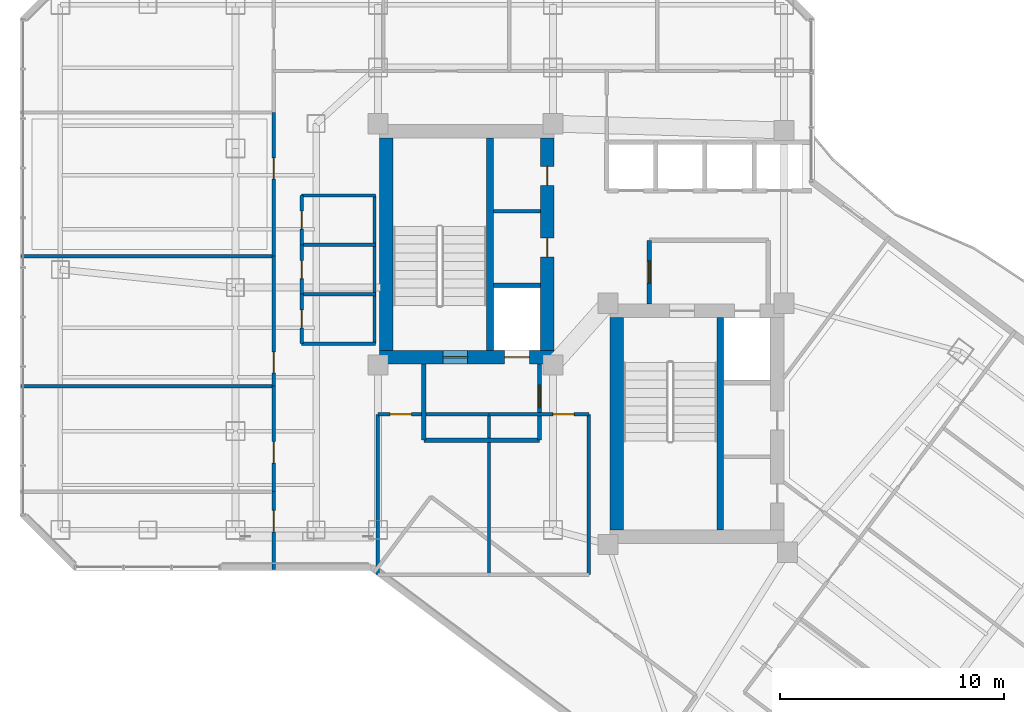
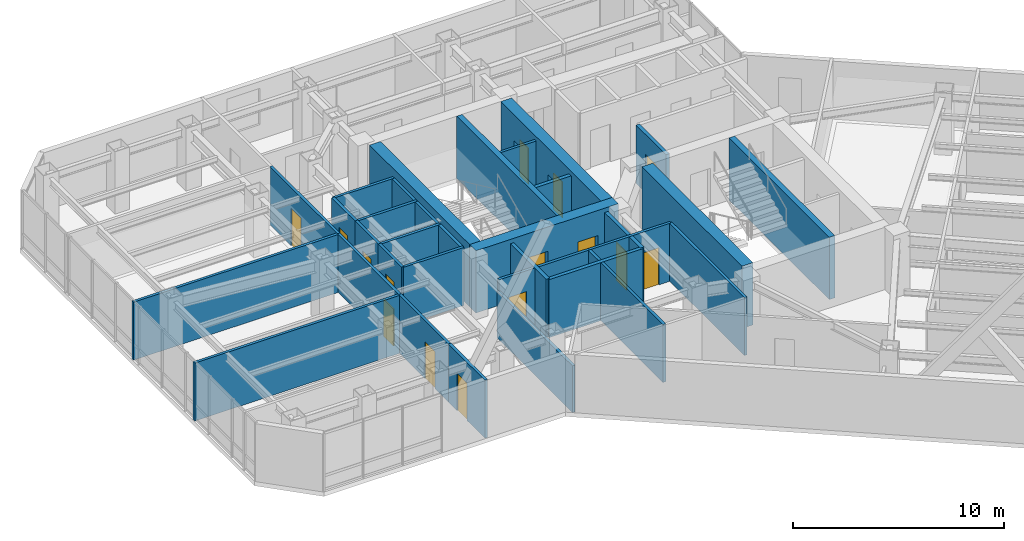
# One storey, part 22 of 27: 31 walls, 15 doors, 15 openings.
"""IFC4 building model written with IfcOpenShell, lengths in metres."""

from ifc_helpers import new_model, si_unit, direction, frame, frame_2d, origin, place, context, subcontext, project, spatial, rectangle, extrude, material, layer, layer_set, type_object, element, fill, save


model = new_model("IFC4")

# Units and contexts
model_context = context("Model", 3, precision=1e-05, world=origin(), true_north=direction((0.0, 1.0)))
body_context = subcontext(model_context, "Body", "Model", "MODEL_VIEW")
ifc_project = project(units=[si_unit("LENGTHUNIT", "METRE"), si_unit("AREAUNIT", "SQUARE_METRE"), si_unit("VOLUMEUNIT", "CUBIC_METRE"), si_unit("PLANEANGLEUNIT", "RADIAN"), si_unit("MASSUNIT", "GRAM", prefix="KILO")], contexts=[model_context])

# Site, building, storey
site_placement = place(None, origin())
site = spatial("IfcSite", under=ifc_project, at=site_placement, CompositionType="ELEMENT")
building_placement = place(site_placement, origin())
building = spatial("IfcBuilding", under=site, at=building_placement, Name="Hatsunagi Terrace Concourse", CompositionType="ELEMENT")
storey_placement = place(building_placement, frame((0.0, 0.0, 145.64990234375)))
storey = spatial("IfcBuildingStorey", under=building, at=storey_placement, Name="L38", CompositionType="ELEMENT", Elevation=145.64990234375)

# Wall, openings, doors
ifc_material_1 = material(Name="Concrete Fc48", Category="concrete")
ifc_layer_1 = layer(ifc_material_1, 0.60009765625)
ifc_layer_set_1 = layer_set([ifc_layer_1], Name="CoreShearWall_Fc48_600")
wall_type_1 = type_object("IfcWallType", Name="CoreShearWall_Fc48_600", PredefinedType="SHEAR", material=ifc_layer_set_1)
wall_1_placement = place(storey_placement, frame((25.6201171875, 32.889892578125, 0.0), z_axis=(0.0, 0.0, 1.0), x_axis=(1.0, 0.0, 0.0)))
wall_1 = element("IfcWall", 1, at=wall_1_placement, inside=storey, type_object=wall_type_1, Name="Core A Shear Wall S L38", PredefinedType="SHEAR", context=body_context, shape_type="SweptSolid", body=[
    extrude(rectangle(XDim=7.77978515625, YDim=0.60009765625, at=frame_2d((3.889892578125, 0.0))), origin(), (0.0, 0.0, 1.0), 3.60009765625),
])
opening_1_placement = place(wall_1_placement, frame((2.830078125, 0.0, 0.0)))
opening_1 = element("IfcOpeningElement", 2, at=opening_1_placement, cuts=wall_1, Name="Opening DR-110S", PredefinedType="OPENING", context=body_context, shape_type="SweptSolid", body=[
    extrude(rectangle(XDim=1.10009765625, YDim=2.199951171875, at=frame_2d((0.550048828125, 1.10009765625))), frame((0.0, 0.31005859375, 0.0), z_axis=(0.0, -1.0, 0.0), x_axis=(1.0, 0.0, 0.0)), (0.0, 0.0, 1.0), 0.6201171875),
])
opening_2_placement = place(wall_1_placement, frame((5.580078125, 0.0, 0.0)))
opening_2 = element("IfcOpeningElement", 3, at=opening_2_placement, cuts=wall_1, Name="Opening LD-01", PredefinedType="OPENING", context=body_context, shape_type="SweptSolid", body=[
    extrude(rectangle(XDim=1.10009765625, YDim=2.14990234375, at=frame_2d((0.550048828125, 1.074951171875))), frame((0.0, 0.31005859375, 0.0), z_axis=(0.0, -1.0, 0.0), x_axis=(1.0, 0.0, 0.0)), (0.0, 0.0, 1.0), 0.6201171875),
])
ifc_material_2 = material(Name="Stainless steel", Category="steel")
door_type_1 = type_object("IfcDoorType", Name="LiftLandingDoor_LD01", OperationType="SLIDING_TO_LEFT", PredefinedType="USERDEFINED", material=ifc_material_2)
door_1_placement = place(opening_2_placement, origin())
door_1 = element("IfcDoor", 4, at=door_1_placement, inside=storey, type_object=door_type_1, Name="Lift landing door FF-01 L38", ObjectType="SLIDING_LANDING_DOOR", OperationType="SLIDING_TO_LEFT", OverallHeight=2.14990234375, OverallWidth=1.10009765625, PredefinedType="USERDEFINED", context=body_context, shape_type="SweptSolid", body=[
    extrude(rectangle(XDim=1.10009765625, YDim=2.14990234375, at=frame_2d((0.550048828125, 1.074951171875))), frame((0.0, 0.02490234375, 0.0), z_axis=(0.0, -1.0, 0.0), x_axis=(1.0, 0.0, 0.0)), (0.0, 0.0, 1.0), 0.050048828125),
])
fill(opening_2, door_1)
ifc_material_3 = material(Name="Painted steel", Category="steel")
door_type_2 = type_object("IfcDoorType", Name="StairFireDoor_EI60_1100", OperationType="NOTDEFINED", PredefinedType="DOOR", material=ifc_material_3)
door_2_placement = place(opening_1_placement, origin())
door_2 = element("IfcDoor", 5, at=door_2_placement, inside=storey, type_object=door_type_2, Name="Stair ST-A Exit Door L38", OperationType="SINGLE_SWING_LEFT", OverallHeight=2.199951171875, OverallWidth=1.10009765625, PredefinedType="DOOR", context=body_context, shape_type="SweptSolid", body=[
    extrude(rectangle(XDim=1.10009765625, YDim=2.199951171875, at=frame_2d((0.550048828125, 1.10009765625))), frame((0.0, 0.02490234375, 0.0), z_axis=(0.0, -1.0, 0.0), x_axis=(1.0, 0.0, 0.0)), (0.0, 0.0, 1.0), 0.050048828125),
])
fill(opening_1, door_2)

# Wall
wall_2_placement = place(storey_placement, frame((25.919921875, 33.18994140625, 0.0), z_axis=(0.0, 0.0, 1.0), x_axis=(0.0, 1.0, 0.0)))
element("IfcWall", 6, at=wall_2_placement, inside=storey, type_object=wall_type_1, Name="Core A Shear Wall W L38", PredefinedType="SHEAR", context=body_context, shape_type="SweptSolid", body=[
    extrude(rectangle(XDim=9.47998046875, YDim=0.60009765625, at=frame_2d((4.739990234375, 0.0))), origin(), (0.0, 0.0, 1.0), 3.60009765625),
])

# Wall, openings, doors
wall_3_placement = place(storey_placement, frame((33.10009765625, 33.18994140625, 0.0), z_axis=(0.0, 0.0, 1.0), x_axis=(0.0, 1.0, 0.0)))
wall_3 = element("IfcWall", 7, at=wall_3_placement, inside=storey, type_object=wall_type_1, Name="Core A Shear Wall E L38", PredefinedType="SHEAR", context=body_context, shape_type="SweptSolid", body=[
    extrude(rectangle(XDim=9.47998046875, YDim=0.60009765625, at=frame_2d((4.739990234375, 0.0))), origin(), (0.0, 0.0, 1.0), 3.60009765625),
])
opening_3_placement = place(wall_3_placement, frame((4.159912109375, 0.0, 0.0)))
opening_3 = element("IfcOpeningElement", 8, at=opening_3_placement, cuts=wall_3, Name="Opening DR-085", PredefinedType="OPENING", context=body_context, shape_type="SweptSolid", body=[
    extrude(rectangle(XDim=0.85009765625, YDim=2.080078125, at=frame_2d((0.425048828125, 1.0400390625))), frame((0.0, 0.31005859375, 0.0), z_axis=(0.0, -1.0, 0.0), x_axis=(1.0, 0.0, 0.0)), (0.0, 0.0, 1.0), 0.6201171875),
])
opening_4_placement = place(wall_3_placement, frame((7.360107421875, 0.0, 0.0)))
opening_4 = element("IfcOpeningElement", 9, at=opening_4_placement, cuts=wall_3, Name="Opening DR-085", PredefinedType="OPENING", context=body_context, shape_type="SweptSolid", body=[
    extrude(rectangle(XDim=0.85009765625, YDim=2.080078125, at=frame_2d((0.425048828125, 1.0400390625))), frame((0.0, 0.31005859375, 0.0), z_axis=(0.0, -1.0, 0.0), x_axis=(1.0, 0.0, 0.0)), (0.0, 0.0, 1.0), 0.6201171875),
])
ifc_material_4 = material(Name="Painted steel", Category="steel")
door_type_3 = type_object("IfcDoorType", Name="RiserAccessDoor_EI60_850", OperationType="NOTDEFINED", PredefinedType="DOOR", material=ifc_material_4)
door_3_placement = place(opening_3_placement, origin())
door_3 = element("IfcDoor", 10, at=door_3_placement, inside=storey, type_object=door_type_3, Name="Core A Riser Door L38-1", OperationType="SINGLE_SWING_LEFT", OverallHeight=2.080078125, OverallWidth=0.85009765625, PredefinedType="DOOR", context=body_context, shape_type="SweptSolid", body=[
    extrude(rectangle(XDim=0.85009765625, YDim=2.080078125, at=frame_2d((0.425048828125, 1.0400390625))), frame((0.0, 0.02490234375, 0.0), z_axis=(0.0, -1.0, 0.0), x_axis=(1.0, 0.0, 0.0)), (0.0, 0.0, 1.0), 0.050048828125),
])
fill(opening_3, door_3)
door_4_placement = place(opening_4_placement, origin())
door_4 = element("IfcDoor", 11, at=door_4_placement, inside=storey, type_object=door_type_3, Name="Core A Riser Door L38-2", OperationType="SINGLE_SWING_LEFT", OverallHeight=2.080078125, OverallWidth=0.85009765625, PredefinedType="DOOR", context=body_context, shape_type="SweptSolid", body=[
    extrude(rectangle(XDim=0.85009765625, YDim=2.080078125, at=frame_2d((0.425048828125, 1.0400390625))), frame((0.0, 0.02490234375, 0.0), z_axis=(0.0, -1.0, 0.0), x_axis=(1.0, 0.0, 0.0)), (0.0, 0.0, 1.0), 0.050048828125),
])
fill(opening_4, door_4)

# Walls
wall_4_placement = place(storey_placement, frame((36.18994140625, 25.18994140625, 0.0), z_axis=(0.0, 0.0, 1.0), x_axis=(0.0, 1.0, 0.0)))
element("IfcWall", 12, at=wall_4_placement, inside=storey, type_object=wall_type_1, Name="Core B Shear Wall W L38", PredefinedType="SHEAR", context=body_context, shape_type="SweptSolid", body=[
    extrude(rectangle(XDim=9.47998046875, YDim=0.60009765625, at=frame_2d((4.739990234375, 0.0))), origin(), (0.0, 0.0, 1.0), 3.60009765625),
])
ifc_material_5 = material(Name="Concrete Fc48", Category="concrete")
ifc_layer_2 = layer(ifc_material_5, 0.300048828125)
ifc_layer_set_2 = layer_set([ifc_layer_2], Name="CoreStairDivider_Fc48_300")
wall_type_2 = type_object("IfcWallType", Name="CoreStairDivider_Fc48_300", PredefinedType="SHEAR", material=ifc_layer_set_2)
for number, where, z_axis, x_axis, name in (
    (13, (30.5400390625, 33.18994140625, 0.0), (0.0, 0.0, 1.0), (0.0, 1.0, 0.0), "Core A Shear Wall D L38"),
    (14, (40.81005859375, 25.18994140625, 0.0), (0.0, 0.0, 1.0), (0.0, 1.0, 0.0), "Core B Shear Wall D L38"),
):
    element("IfcWall", number, at=place(storey_placement, frame(where, z_axis=z_axis, x_axis=x_axis)), inside=storey, type_object=wall_type_2, Name=name, PredefinedType="SHEAR", context=body_context, shape_type="SweptSolid", body=[
        extrude(rectangle(XDim=9.47998046875, YDim=0.300048828125, at=frame_2d((4.739990234375, 0.0))), origin(), (0.0, 0.0, 1.0), 3.60009765625),
    ])
ifc_material_6 = material(Name="Acoustic mineral board", Category="gypsum")
ifc_layer_3 = layer(ifc_material_6, 0.14990234375)
ifc_layer_set_3 = layer_set([ifc_layer_3], Name="PartitionWall_EI60_150")
wall_type_3 = type_object("IfcWallType", Name="PartitionWall_EI60_150", PredefinedType="PARTITIONING", material=ifc_layer_set_3)
wall_5_placement = place(storey_placement, frame((30.699951171875, 39.39990234375, 0.0), z_axis=(0.0, 0.0, 1.0), x_axis=(1.0, 0.0, 0.0)))
element("IfcWall", 15, at=wall_5_placement, inside=storey, type_object=wall_type_3, Name="Interior Partition IW-L38-002", PredefinedType="PARTITIONING", context=body_context, shape_type="SweptSolid", body=[
    extrude(rectangle(XDim=2.10009765625, YDim=0.14990234375, at=frame_2d((1.050048828125, 0.0))), origin(), (0.0, 0.0, 1.0), 3.35009765625),
])
for number, where, z_axis, x_axis, name in (
    (16, (22.14990234375, 33.5, 0.0), (0.0, 0.0, 1.0), (1.0, 0.0, 0.0), "Interior Partition IW-L38-017"),
    (17, (22.14990234375, 40.10009765625, 0.0), (0.0, 0.0, 1.0), (1.0, 0.0, 0.0), "Interior Partition IW-L38-018"),
):
    element("IfcWall", number, at=place(storey_placement, frame(where, z_axis=z_axis, x_axis=x_axis)), inside=storey, type_object=wall_type_3, Name=name, PredefinedType="PARTITIONING", context=body_context, shape_type="SweptSolid", body=[
        extrude(rectangle(XDim=3.300048828125, YDim=0.14990234375, at=frame_2d((1.64990234375, 0.0))), origin(), (0.0, 0.0, 1.0), 3.35009765625),
    ])
wall_6_placement = place(storey_placement, frame((25.39990234375, 33.5, 0.0), z_axis=(0.0, 0.0, 1.0), x_axis=(0.0, 1.0, 0.0)))
element("IfcWall", 18, at=wall_6_placement, inside=storey, type_object=wall_type_3, Name="Interior Partition IW-L38-019", PredefinedType="PARTITIONING", context=body_context, shape_type="SweptSolid", body=[
    extrude(rectangle(XDim=6.60009765625, YDim=0.14990234375, at=frame_2d((3.300048828125, 0.0))), origin(), (0.0, 0.0, 1.0), 3.35009765625),
])
for number, where, z_axis, x_axis, name in (
    (19, (22.14990234375, 35.699951171875, 0.0), (0.0, 0.0, 1.0), (1.0, 0.0, 0.0), "Interior Partition IW-L38-020"),
    (20, (22.14990234375, 37.89990234375, 0.0), (0.0, 0.0, 1.0), (1.0, 0.0, 0.0), "Interior Partition IW-L38-021"),
):
    element("IfcWall", number, at=place(storey_placement, frame(where, z_axis=z_axis, x_axis=x_axis)), inside=storey, type_object=wall_type_3, Name=name, PredefinedType="PARTITIONING", context=body_context, shape_type="SweptSolid", body=[
        extrude(rectangle(XDim=3.300048828125, YDim=0.14990234375, at=frame_2d((1.64990234375, 0.0))), origin(), (0.0, 0.0, 1.0), 3.35009765625),
    ])

# Wall, opening, door
wall_7_placement = place(storey_placement, frame((22.14990234375, 33.5, 0.0), z_axis=(0.0, 0.0, 1.0), x_axis=(0.0, 1.0, 0.0)))
wall_7 = element("IfcWall", 21, at=wall_7_placement, inside=storey, type_object=wall_type_3, Name="Interior Partition IW-L38-022", PredefinedType="PARTITIONING", context=body_context, shape_type="SweptSolid", body=[
    extrude(rectangle(XDim=2.199951171875, YDim=0.14990234375, at=frame_2d((1.10009765625, 0.0))), origin(), (0.0, 0.0, 1.0), 3.35009765625),
])
opening_5_placement = place(wall_7_placement, frame((0.699951171875, 0.0, 0.0)))
opening_5 = element("IfcOpeningElement", 22, at=opening_5_placement, cuts=wall_7, Name="Opening DR-080", PredefinedType="OPENING", context=body_context, shape_type="SweptSolid", body=[
    extrude(rectangle(XDim=0.800048828125, YDim=2.06005859375, at=frame_2d((0.39990234375, 1.030029296875))), frame((0.0, 0.0849609375, 0.0), z_axis=(0.0, -1.0, 0.0), x_axis=(1.0, 0.0, 0.0)), (0.0, 0.0, 1.0), 0.169921875),
])
ifc_material_7 = material(Name="Hardwood timber", Category="wood")
door_type_4 = type_object("IfcDoorType", Name="BathroomDoor_800", OperationType="NOTDEFINED", PredefinedType="DOOR", material=ifc_material_7)
door_5_placement = place(opening_5_placement, origin())
door_5 = element("IfcDoor", 23, at=door_5_placement, inside=storey, type_object=door_type_4, Name="Accessible WC Door L38", OperationType="SINGLE_SWING_RIGHT", OverallHeight=2.06005859375, OverallWidth=0.800048828125, PredefinedType="DOOR", context=body_context, shape_type="SweptSolid", body=[
    extrude(rectangle(XDim=0.800048828125, YDim=2.06005859375, at=frame_2d((0.39990234375, 1.030029296875))), frame((0.0, 0.02490234375, 0.0), z_axis=(0.0, -1.0, 0.0), x_axis=(1.0, 0.0, 0.0)), (0.0, 0.0, 1.0), 0.050048828125),
])
fill(opening_5, door_5)

wall_8_placement = place(storey_placement, frame((22.14990234375, 35.699951171875, 0.0), z_axis=(0.0, 0.0, 1.0), x_axis=(0.0, 1.0, 0.0)))
wall_8 = element("IfcWall", 24, at=wall_8_placement, inside=storey, type_object=wall_type_3, Name="Interior Partition IW-L38-023", PredefinedType="PARTITIONING", context=body_context, shape_type="SweptSolid", body=[
    extrude(rectangle(XDim=2.199951171875, YDim=0.14990234375, at=frame_2d((1.10009765625, 0.0))), origin(), (0.0, 0.0, 1.0), 3.35009765625),
])
opening_6_placement = place(wall_8_placement, frame((0.699951171875, 0.0, 0.0)))
opening_6 = element("IfcOpeningElement", 25, at=opening_6_placement, cuts=wall_8, Name="Opening DR-080", PredefinedType="OPENING", context=body_context, shape_type="SweptSolid", body=[
    extrude(rectangle(XDim=0.800048828125, YDim=2.06005859375, at=frame_2d((0.39990234375, 1.030029296875))), frame((0.0, 0.0849609375, 0.0), z_axis=(0.0, -1.0, 0.0), x_axis=(1.0, 0.0, 0.0)), (0.0, 0.0, 1.0), 0.169921875),
])
door_6_placement = place(opening_6_placement, origin())
door_6 = element("IfcDoor", 26, at=door_6_placement, inside=storey, type_object=door_type_4, Name="Female Restroom Door L38", OperationType="SINGLE_SWING_RIGHT", OverallHeight=2.06005859375, OverallWidth=0.800048828125, PredefinedType="DOOR", context=body_context, shape_type="SweptSolid", body=[
    extrude(rectangle(XDim=0.800048828125, YDim=2.06005859375, at=frame_2d((0.39990234375, 1.030029296875))), frame((0.0, 0.02490234375, 0.0), z_axis=(0.0, -1.0, 0.0), x_axis=(1.0, 0.0, 0.0)), (0.0, 0.0, 1.0), 0.050048828125),
])
fill(opening_6, door_6)

wall_9_placement = place(storey_placement, frame((22.14990234375, 37.89990234375, 0.0), z_axis=(0.0, 0.0, 1.0), x_axis=(0.0, 1.0, 0.0)))
wall_9 = element("IfcWall", 27, at=wall_9_placement, inside=storey, type_object=wall_type_3, Name="Interior Partition IW-L38-024", PredefinedType="PARTITIONING", context=body_context, shape_type="SweptSolid", body=[
    extrude(rectangle(XDim=2.2001953125, YDim=0.14990234375, at=frame_2d((1.10009765625, 0.0))), origin(), (0.0, 0.0, 1.0), 3.35009765625),
])
opening_7_placement = place(wall_9_placement, frame((0.699951171875, 0.0, 0.0)))
opening_7 = element("IfcOpeningElement", 28, at=opening_7_placement, cuts=wall_9, Name="Opening DR-080", PredefinedType="OPENING", context=body_context, shape_type="SweptSolid", body=[
    extrude(rectangle(XDim=0.800048828125, YDim=2.06005859375, at=frame_2d((0.39990234375, 1.030029296875))), frame((0.0, 0.0849609375, 0.0), z_axis=(0.0, -1.0, 0.0), x_axis=(1.0, 0.0, 0.0)), (0.0, 0.0, 1.0), 0.169921875),
])
door_7_placement = place(opening_7_placement, origin())
door_7 = element("IfcDoor", 29, at=door_7_placement, inside=storey, type_object=door_type_4, Name="Male Restroom Door L38", OperationType="SINGLE_SWING_RIGHT", OverallHeight=2.06005859375, OverallWidth=0.800048828125, PredefinedType="DOOR", context=body_context, shape_type="SweptSolid", body=[
    extrude(rectangle(XDim=0.800048828125, YDim=2.06005859375, at=frame_2d((0.39990234375, 1.030029296875))), frame((0.0, 0.02490234375, 0.0), z_axis=(0.0, -1.0, 0.0), x_axis=(1.0, 0.0, 0.0)), (0.0, 0.0, 1.0), 0.050048828125),
])
fill(opening_7, door_7)

wall_10_placement = place(storey_placement, frame((25.550048828125, 30.35009765625, 0.0), z_axis=(0.0, 0.0, 1.0), x_axis=(1.0, 0.0, 0.0)))
wall_10 = element("IfcWall", 30, at=wall_10_placement, inside=storey, type_object=wall_type_3, Name="Interior Partition IW-L38-026", PredefinedType="PARTITIONING", context=body_context, shape_type="SweptSolid", body=[
    extrude(rectangle(XDim=4.949951171875, YDim=0.14990234375, at=frame_2d((2.47509765625, 0.0))), origin(), (0.0, 0.0, 1.0), 3.35009765625),
])
opening_8_placement = place(wall_10_placement, frame((0.5419921875, 0.0, 0.0)))
opening_8 = element("IfcOpeningElement", 31, at=opening_8_placement, cuts=wall_10, Name="Opening DR-095", PredefinedType="OPENING", context=body_context, shape_type="SweptSolid", body=[
    extrude(rectangle(XDim=0.949951171875, YDim=2.14990234375, at=frame_2d((0.47509765625, 1.074951171875))), frame((0.0, 0.0849609375, 0.0), z_axis=(0.0, -1.0, 0.0), x_axis=(1.0, 0.0, 0.0)), (0.0, 0.0, 1.0), 0.169921875),
])
ifc_material_8 = material(Name="Hardwood timber", Category="wood")
door_type_5 = type_object("IfcDoorType", Name="InteriorSuiteDoor_EI30_950", OperationType="NOTDEFINED", PredefinedType="DOOR", material=ifc_material_8)
door_8_placement = place(opening_8_placement, origin())
door_8 = element("IfcDoor", 32, at=door_8_placement, inside=storey, type_object=door_type_5, Name="Breakout Pantry L38-RECL1 Door", OperationType="SINGLE_SWING_RIGHT", OverallHeight=2.14990234375, OverallWidth=0.949951171875, PredefinedType="DOOR", context=body_context, shape_type="SweptSolid", body=[
    extrude(rectangle(XDim=0.949951171875, YDim=2.14990234375, at=frame_2d((0.47509765625, 1.074951171875))), frame((0.0, 0.02490234375, 0.0), z_axis=(0.0, -1.0, 0.0), x_axis=(1.0, 0.0, 0.0)), (0.0, 0.0, 1.0), 0.050048828125),
])
fill(opening_8, door_8)

# Walls
wall_11_placement = place(storey_placement, frame((25.550048828125, 23.199951171875, 0.0), z_axis=(0.0, 0.0, 1.0), x_axis=(0.0, 1.0, 0.0)))
element("IfcWall", 33, at=wall_11_placement, inside=storey, type_object=wall_type_3, Name="Interior Partition IW-L38-027", PredefinedType="PARTITIONING", context=body_context, shape_type="SweptSolid", body=[
    extrude(rectangle(XDim=7.150146484375, YDim=0.14990234375, at=frame_2d((3.5751953125, 0.0))), origin(), (0.0, 0.0, 1.0), 2.695068359375),
])
wall_12_placement = place(storey_placement, frame((30.5, 23.199951171875, 0.0), z_axis=(0.0, 0.0, 1.0), x_axis=(0.0, 1.0, 0.0)))
element("IfcWall", 34, at=wall_12_placement, inside=storey, type_object=wall_type_3, Name="Interior Partition IW-L38-028", PredefinedType="PARTITIONING", context=body_context, shape_type="SweptSolid", body=[
    extrude(rectangle(XDim=7.150146484375, YDim=0.14990234375, at=frame_2d((3.5751953125, 0.0))), origin(), (0.0, 0.0, 1.0), 3.35009765625),
])

# Wall, opening, door
wall_13_placement = place(storey_placement, frame((30.5, 30.35009765625, 0.0), z_axis=(0.0, 0.0, 1.0), x_axis=(1.0, 0.0, 0.0)))
wall_13 = element("IfcWall", 35, at=wall_13_placement, inside=storey, type_object=wall_type_3, Name="Interior Partition IW-L38-030", PredefinedType="PARTITIONING", context=body_context, shape_type="SweptSolid", body=[
    extrude(rectangle(XDim=4.449951171875, YDim=0.14990234375, at=frame_2d((2.22509765625, 0.0))), origin(), (0.0, 0.0, 1.0), 3.35009765625),
])
opening_9_placement = place(wall_13_placement, frame((2.845947265625, 0.0, 0.0)))
opening_9 = element("IfcOpeningElement", 36, at=opening_9_placement, cuts=wall_13, Name="Opening DR-095", PredefinedType="OPENING", context=body_context, shape_type="SweptSolid", body=[
    extrude(rectangle(XDim=0.949951171875, YDim=2.14990234375, at=frame_2d((0.47509765625, 1.074951171875))), frame((0.0, 0.0849609375, 0.0), z_axis=(0.0, -1.0, 0.0), x_axis=(1.0, 0.0, 0.0)), (0.0, 0.0, 1.0), 0.169921875),
])
door_9_placement = place(opening_9_placement, origin())
door_9 = element("IfcDoor", 37, at=door_9_placement, inside=storey, type_object=door_type_5, Name="Focus Room L38-RECL2 Door", OperationType="SINGLE_SWING_RIGHT", OverallHeight=2.14990234375, OverallWidth=0.949951171875, PredefinedType="DOOR", context=body_context, shape_type="SweptSolid", body=[
    extrude(rectangle(XDim=0.949951171875, YDim=2.14990234375, at=frame_2d((0.47509765625, 1.074951171875))), frame((0.0, 0.02490234375, 0.0), z_axis=(0.0, -1.0, 0.0), x_axis=(1.0, 0.0, 0.0)), (0.0, 0.0, 1.0), 0.050048828125),
])
fill(opening_9, door_9)

# Wall
wall_14_placement = place(storey_placement, frame((34.949951171875, 23.199951171875, 0.0), z_axis=(0.0, 0.0, 1.0), x_axis=(0.0, 1.0, 0.0)))
element("IfcWall", 38, at=wall_14_placement, inside=storey, type_object=wall_type_3, Name="Interior Partition IW-L38-031", PredefinedType="PARTITIONING", context=body_context, shape_type="SweptSolid", body=[
    extrude(rectangle(XDim=7.150146484375, YDim=0.14990234375, at=frame_2d((3.5751953125, 0.0))), origin(), (0.0, 0.0, 1.0), 3.35009765625),
])

# Wall, opening, door
wall_15_placement = place(storey_placement, frame((20.89990234375, 23.43994140625, 0.0), z_axis=(0.0, 0.0, 1.0), x_axis=(0.0, 1.0, 0.0)))
wall_15 = element("IfcWall", 39, at=wall_15_placement, inside=storey, type_object=wall_type_3, Name="Interior Partition IW-L38-033", PredefinedType="PARTITIONING", context=body_context, shape_type="SweptSolid", body=[
    extrude(rectangle(XDim=3.4599609375, YDim=0.14990234375, at=frame_2d((1.72998046875, 0.0))), origin(), (0.0, 0.0, 1.0), 3.35009765625),
])
opening_10_placement = place(wall_15_placement, frame((1.675048828125, 0.0, 0.0)))
opening_10 = element("IfcOpeningElement", 40, at=opening_10_placement, cuts=wall_15, Name="Opening DR-095", PredefinedType="OPENING", context=body_context, shape_type="SweptSolid", body=[
    extrude(rectangle(XDim=0.949951171875, YDim=2.14990234375, at=frame_2d((0.47509765625, 1.074951171875))), frame((0.0, 0.0849609375, 0.0), z_axis=(0.0, -1.0, 0.0), x_axis=(1.0, 0.0, 0.0)), (0.0, 0.0, 1.0), 0.169921875),
])
door_10_placement = place(opening_10_placement, origin())
door_10 = element("IfcDoor", 41, at=door_10_placement, inside=storey, type_object=door_type_5, Name="Focus Room L38-OW1 Door", OperationType="SINGLE_SWING_RIGHT", OverallHeight=2.14990234375, OverallWidth=0.949951171875, PredefinedType="DOOR", context=body_context, shape_type="SweptSolid", body=[
    extrude(rectangle(XDim=0.949951171875, YDim=2.14990234375, at=frame_2d((0.47509765625, 1.074951171875))), frame((0.0, 0.02490234375, 0.0), z_axis=(0.0, -1.0, 0.0), x_axis=(1.0, 0.0, 0.0)), (0.0, 0.0, 1.0), 0.050048828125),
])
fill(opening_10, door_10)

# Wall
wall_16_placement = place(storey_placement, frame((9.639892578125, 31.60009765625, 0.0), z_axis=(0.0, 0.0, 1.0), x_axis=(1.0, 0.0, 0.0)))
element("IfcWall", 42, at=wall_16_placement, inside=storey, type_object=wall_type_3, Name="Interior Partition IW-L38-034", PredefinedType="PARTITIONING", context=body_context, shape_type="SweptSolid", body=[
    extrude(rectangle(XDim=11.260009765625, YDim=0.14990234375, at=frame_2d((5.6298828125, 0.0))), origin(), (0.0, 0.0, 1.0), 3.35009765625),
])

# Wall, opening, door
wall_17_placement = place(storey_placement, frame((20.89990234375, 26.89990234375, 0.0), z_axis=(0.0, 0.0, 1.0), x_axis=(0.0, 1.0, 0.0)))
wall_17 = element("IfcWall", 43, at=wall_17_placement, inside=storey, type_object=wall_type_3, Name="Interior Partition IW-L38-035", PredefinedType="PARTITIONING", context=body_context, shape_type="SweptSolid", body=[
    extrude(rectangle(XDim=4.7001953125, YDim=0.14990234375, at=frame_2d((2.35009765625, 0.0))), origin(), (0.0, 0.0, 1.0), 3.35009765625),
])
opening_11_placement = place(wall_17_placement, frame((1.277099609375, 0.0, 0.0)))
opening_11 = element("IfcOpeningElement", 44, at=opening_11_placement, cuts=wall_17, Name="Opening DR-095", PredefinedType="OPENING", context=body_context, shape_type="SweptSolid", body=[
    extrude(rectangle(XDim=0.949951171875, YDim=2.14990234375, at=frame_2d((0.47509765625, 1.074951171875))), frame((0.0, 0.0849609375, 0.0), z_axis=(0.0, -1.0, 0.0), x_axis=(1.0, 0.0, 0.0)), (0.0, 0.0, 1.0), 0.169921875),
])
door_11_placement = place(opening_11_placement, origin())
door_11 = element("IfcDoor", 45, at=door_11_placement, inside=storey, type_object=door_type_5, Name="Executive Office L38-OW2 Door", OperationType="SINGLE_SWING_RIGHT", OverallHeight=2.14990234375, OverallWidth=0.949951171875, PredefinedType="DOOR", context=body_context, shape_type="SweptSolid", body=[
    extrude(rectangle(XDim=0.949951171875, YDim=2.14990234375, at=frame_2d((0.47509765625, 1.074951171875))), frame((0.0, 0.02490234375, 0.0), z_axis=(0.0, -1.0, 0.0), x_axis=(1.0, 0.0, 0.0)), (0.0, 0.0, 1.0), 0.050048828125),
])
fill(opening_11, door_11)

# Wall
wall_18_placement = place(storey_placement, frame((9.639892578125, 37.39990234375, 0.0), z_axis=(0.0, 0.0, 1.0), x_axis=(1.0, 0.0, 0.0)))
element("IfcWall", 46, at=wall_18_placement, inside=storey, type_object=wall_type_3, Name="Interior Partition IW-L38-036", PredefinedType="PARTITIONING", context=body_context, shape_type="SweptSolid", body=[
    extrude(rectangle(XDim=11.260009765625, YDim=0.14990234375, at=frame_2d((5.6298828125, 0.0))), origin(), (0.0, 0.0, 1.0), 3.35009765625),
])

# Wall, opening, door
wall_19_placement = place(storey_placement, frame((20.89990234375, 31.60009765625, 0.0), z_axis=(0.0, 0.0, 1.0), x_axis=(0.0, 1.0, 0.0)))
wall_19 = element("IfcWall", 47, at=wall_19_placement, inside=storey, type_object=wall_type_3, Name="Interior Partition IW-L38-037", PredefinedType="PARTITIONING", context=body_context, shape_type="SweptSolid", body=[
    extrude(rectangle(XDim=5.7998046875, YDim=0.14990234375, at=frame_2d((2.89990234375, 0.0))), origin(), (0.0, 0.0, 1.0), 3.35009765625),
])
opening_12_placement = place(wall_19_placement, frame((0.583984375, 0.0, 0.0)))
opening_12 = element("IfcOpeningElement", 48, at=opening_12_placement, cuts=wall_19, Name="Opening DR-095", PredefinedType="OPENING", context=body_context, shape_type="SweptSolid", body=[
    extrude(rectangle(XDim=0.949951171875, YDim=2.14990234375, at=frame_2d((0.47509765625, 1.074951171875))), frame((0.0, 0.0849609375, 0.0), z_axis=(0.0, -1.0, 0.0), x_axis=(1.0, 0.0, 0.0)), (0.0, 0.0, 1.0), 0.169921875),
])
door_12_placement = place(opening_12_placement, origin())
door_12 = element("IfcDoor", 49, at=door_12_placement, inside=storey, type_object=door_type_5, Name="Team Innovation Studio L38-OW3 Door", OperationType="SINGLE_SWING_RIGHT", OverallHeight=2.14990234375, OverallWidth=0.949951171875, PredefinedType="DOOR", context=body_context, shape_type="SweptSolid", body=[
    extrude(rectangle(XDim=0.949951171875, YDim=2.14990234375, at=frame_2d((0.47509765625, 1.074951171875))), frame((0.0, 0.02490234375, 0.0), z_axis=(0.0, -1.0, 0.0), x_axis=(1.0, 0.0, 0.0)), (0.0, 0.0, 1.0), 0.050048828125),
])
fill(opening_12, door_12)

wall_20_placement = place(storey_placement, frame((20.89990234375, 37.39990234375, 0.0), z_axis=(0.0, 0.0, 1.0), x_axis=(0.0, 1.0, 0.0)))
wall_20 = element("IfcWall", 50, at=wall_20_placement, inside=storey, type_object=wall_type_3, Name="Interior Partition IW-L38-039", PredefinedType="PARTITIONING", context=body_context, shape_type="SweptSolid", body=[
    extrude(rectangle(XDim=6.400146484375, YDim=0.14990234375, at=frame_2d((3.2001953125, 0.0))), origin(), (0.0, 0.0, 1.0), 3.35009765625),
])
opening_13_placement = place(wall_20_placement, frame((3.427978515625, 0.0, 0.0)))
opening_13 = element("IfcOpeningElement", 51, at=opening_13_placement, cuts=wall_20, Name="Opening DR-095", PredefinedType="OPENING", context=body_context, shape_type="SweptSolid", body=[
    extrude(rectangle(XDim=0.949951171875, YDim=2.14990234375, at=frame_2d((0.47509765625, 1.074951171875))), frame((0.0, 0.0849609375, 0.0), z_axis=(0.0, -1.0, 0.0), x_axis=(1.0, 0.0, 0.0)), (0.0, 0.0, 1.0), 0.169921875),
])
door_13_placement = place(opening_13_placement, origin())
door_13 = element("IfcDoor", 52, at=door_13_placement, inside=storey, type_object=door_type_5, Name="Meeting Room L38-OW4 Door", OperationType="SINGLE_SWING_RIGHT", OverallHeight=2.14990234375, OverallWidth=0.949951171875, PredefinedType="DOOR", context=body_context, shape_type="SweptSolid", body=[
    extrude(rectangle(XDim=0.949951171875, YDim=2.14990234375, at=frame_2d((0.47509765625, 1.074951171875))), frame((0.0, 0.02490234375, 0.0), z_axis=(0.0, -1.0, 0.0), x_axis=(1.0, 0.0, 0.0)), (0.0, 0.0, 1.0), 0.050048828125),
])
fill(opening_13, door_13)

# Walls
ifc_material_9 = material(Name="Acoustic mineral board", Category="gypsum")
ifc_layer_4 = layer(ifc_material_9, 0.199951171875)
ifc_layer_set_4 = layer_set([ifc_layer_4], Name="ShaftWall_EI120_200")
wall_type_4 = type_object("IfcWallType", Name="ShaftWall_EI120_200", PredefinedType="STANDARD", material=ifc_layer_set_4)
wall_21_placement = place(storey_placement, frame((30.699951171875, 36.10009765625, 0.0), z_axis=(0.0, 0.0, 1.0), x_axis=(1.0, 0.0, 0.0)))
element("IfcWall", 53, at=wall_21_placement, inside=storey, type_object=wall_type_4, Name="Interior Partition IW-L38-001", PredefinedType="STANDARD", context=body_context, shape_type="SweptSolid", body=[
    extrude(rectangle(XDim=2.10009765625, YDim=0.199951171875, at=frame_2d((1.050048828125, 0.0))), origin(), (0.0, 0.0, 1.0), 3.35009765625),
])
wall_22_placement = place(storey_placement, frame((27.60009765625, 29.199951171875, 0.0), z_axis=(0.0, 0.0, 1.0), x_axis=(1.0, 0.0, 0.0)))
element("IfcWall", 54, at=wall_22_placement, inside=storey, type_object=wall_type_4, Name="Interior Partition IW-L38-005", PredefinedType="STANDARD", context=body_context, shape_type="SweptSolid", body=[
    extrude(rectangle(XDim=5.14990234375, YDim=0.199951171875, at=frame_2d((2.574951171875, 0.0))), origin(), (0.0, 0.0, 1.0), 3.35009765625),
])
wall_23_placement = place(storey_placement, frame((27.60009765625, 29.199951171875, 0.0), z_axis=(0.0, 0.0, 1.0), x_axis=(0.0, 1.0, 0.0)))
element("IfcWall", 55, at=wall_23_placement, inside=storey, type_object=wall_type_4, Name="Interior Partition IW-L38-006", PredefinedType="STANDARD", context=body_context, shape_type="SweptSolid", body=[
    extrude(rectangle(XDim=3.39013671875, YDim=0.199951171875, at=frame_2d((1.695068359375, 0.0))), origin(), (0.0, 0.0, 1.0), 3.35009765625),
])

# Wall, opening, door
wall_24_placement = place(storey_placement, frame((32.75, 29.199951171875, 0.0), z_axis=(0.0, 0.0, 1.0), x_axis=(0.0, 1.0, 0.0)))
wall_24 = element("IfcWall", 56, at=wall_24_placement, inside=storey, type_object=wall_type_4, Name="Interior Partition IW-L38-007", PredefinedType="STANDARD", context=body_context, shape_type="SweptSolid", body=[
    extrude(rectangle(XDim=3.39013671875, YDim=0.199951171875, at=frame_2d((1.695068359375, 0.0))), origin(), (0.0, 0.0, 1.0), 3.35009765625),
])
opening_14_placement = place(wall_24_placement, frame((1.449951171875, 0.0, 0.0)))
opening_14 = element("IfcOpeningElement", 57, at=opening_14_placement, cuts=wall_24, Name="Opening DR-100F", PredefinedType="OPENING", context=body_context, shape_type="SweptSolid", body=[
    extrude(rectangle(XDim=1.0, YDim=2.199951171875, at=frame_2d((0.5, 1.10009765625))), frame((0.0, 0.10986328125, 0.0), z_axis=(0.0, -1.0, 0.0), x_axis=(1.0, 0.0, 0.0)), (0.0, 0.0, 1.0), 0.219970703125),
])
ifc_material_10 = material(Name="Painted steel", Category="steel")
door_type_6 = type_object("IfcDoorType", Name="FireDoor_EI60_1000", OperationType="NOTDEFINED", PredefinedType="DOOR", material=ifc_material_10)
door_14_placement = place(opening_14_placement, origin())
door_14 = element("IfcDoor", 58, at=door_14_placement, inside=storey, type_object=door_type_6, Name="Firefighting Lobby A Door L38", OperationType="SINGLE_SWING_RIGHT", OverallHeight=2.199951171875, OverallWidth=1.0, PredefinedType="DOOR", context=body_context, shape_type="SweptSolid", body=[
    extrude(rectangle(XDim=1.0, YDim=2.199951171875, at=frame_2d((0.5, 1.10009765625))), frame((0.0, 0.02490234375, 0.0), z_axis=(0.0, -1.0, 0.0), x_axis=(1.0, 0.0, 0.0)), (0.0, 0.0, 1.0), 0.050048828125),
])
fill(opening_14, door_14)

wall_25_placement = place(storey_placement, frame((37.64990234375, 35.27001953125, 0.0), z_axis=(0.0, 0.0, 1.0), x_axis=(0.0, 1.0, 0.0)))
wall_25 = element("IfcWall", 59, at=wall_25_placement, inside=storey, type_object=wall_type_4, Name="Interior Partition IW-L38-010", PredefinedType="STANDARD", context=body_context, shape_type="SweptSolid", body=[
    extrude(rectangle(XDim=2.830078125, YDim=0.199951171875, at=frame_2d((1.4150390625, 0.0))), origin(), (0.0, 0.0, 1.0), 3.35009765625),
])
opening_15_placement = place(wall_25_placement, frame((0.9150390625, 0.0, 0.0)))
opening_15 = element("IfcOpeningElement", 60, at=opening_15_placement, cuts=wall_25, Name="Opening DR-100F", PredefinedType="OPENING", context=body_context, shape_type="SweptSolid", body=[
    extrude(rectangle(XDim=1.0, YDim=2.199951171875, at=frame_2d((0.5, 1.10009765625))), frame((0.0, 0.10986328125, 0.0), z_axis=(0.0, -1.0, 0.0), x_axis=(1.0, 0.0, 0.0)), (0.0, 0.0, 1.0), 0.219970703125),
])
door_15_placement = place(opening_15_placement, origin())
door_15 = element("IfcDoor", 61, at=door_15_placement, inside=storey, type_object=door_type_6, Name="Firefighting Lobby B Door L38", OperationType="SINGLE_SWING_RIGHT", OverallHeight=2.199951171875, OverallWidth=1.0, PredefinedType="DOOR", context=body_context, shape_type="SweptSolid", body=[
    extrude(rectangle(XDim=1.0, YDim=2.199951171875, at=frame_2d((0.5, 1.10009765625))), frame((0.0, 0.02490234375, 0.0), z_axis=(0.0, -1.0, 0.0), x_axis=(1.0, 0.0, 0.0)), (0.0, 0.0, 1.0), 0.050048828125),
])
fill(opening_15, door_15)

save(model, "model.ifc")
